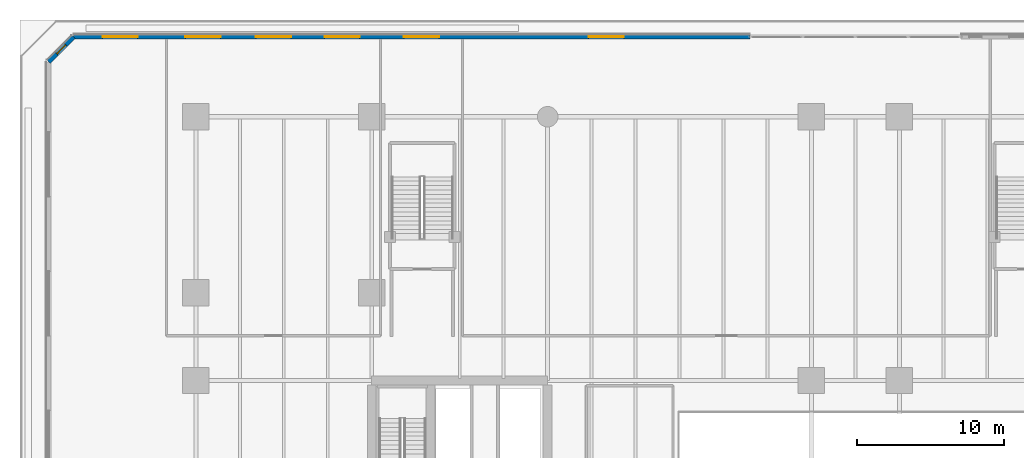
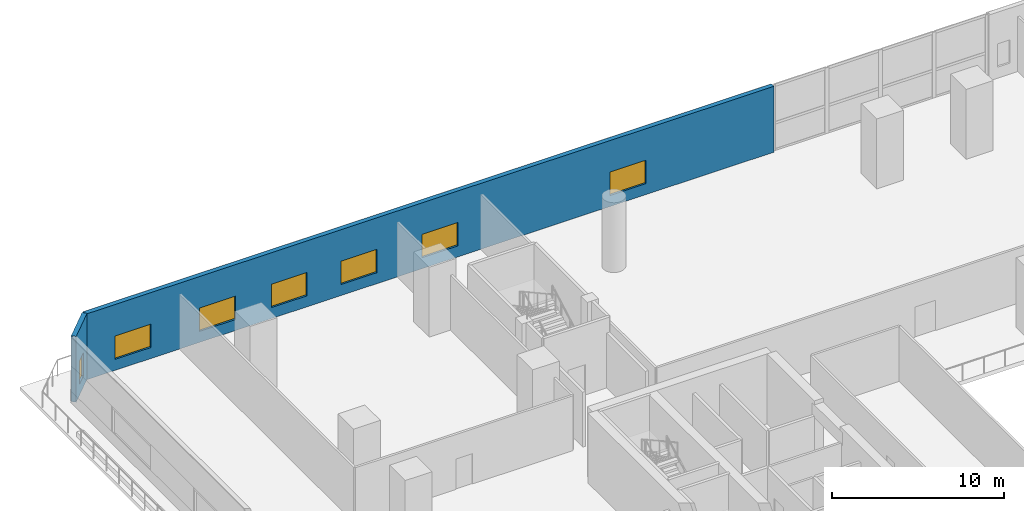
# One storey, part 11 of 24: 7 windows, 2 walls, 7 openings.
"""IFC4 building model written with IfcOpenShell, lengths in metres."""

from ifc_helpers import new_model, si_unit, direction, frame, frame_2d, origin, place, context, subcontext, project, spatial, rectangle, extrude, material, layer, layer_set, type_object, element, fill, save


model = new_model("IFC4")

# Units and contexts
model_context = context("Model", 3, precision=1e-05, world=origin(), true_north=direction((0.0, 1.0)))
body_context = subcontext(model_context, "Body", "Model", "MODEL_VIEW")
ifc_project = project(units=[si_unit("LENGTHUNIT", "METRE"), si_unit("AREAUNIT", "SQUARE_METRE"), si_unit("VOLUMEUNIT", "CUBIC_METRE"), si_unit("PLANEANGLEUNIT", "RADIAN"), si_unit("MASSUNIT", "GRAM", prefix="KILO")], contexts=[model_context])

# Site, building, storey
site_placement = place(None, origin())
site = spatial("IfcSite", under=ifc_project, at=site_placement, CompositionType="ELEMENT")
building_placement = place(site_placement, origin())
building = spatial("IfcBuilding", under=site, at=building_placement, Name="Tanjung Sevakor Pilgrim Tower", CompositionType="ELEMENT")
storey_placement = place(building_placement, frame((0.0, 0.0, 4.949951171875)))
storey = spatial("IfcBuildingStorey", under=building, at=storey_placement, Name="L02", CompositionType="ELEMENT", Elevation=4.949951171875)

# Wall, openings, windows
ifc_material_1 = material(Name="Precast concrete C45/55", Category="concrete")
ifc_layer = layer(ifc_material_1, 0.300048828125)
ifc_layer_set = layer_set([ifc_layer], Name="WT-EW-STN1")
wall_type = type_object("IfcWallType", Name="WT-EW-STN1", PredefinedType="SOLIDWALL", material=ifc_layer_set)
wall_1_placement = place(storey_placement, frame((49.800048828125, 66.050048828125, 0.0), z_axis=(0.0, 0.0, 1.0), x_axis=(-1.0, 0.0, 0.0)))
wall_1 = element("IfcWall", 1, at=wall_1_placement, inside=storey, type_object=wall_type, Name="L02 Cascading Podium Limestone Wall N2", PredefinedType="SOLIDWALL", context=body_context, shape_type="SweptSolid", body=[
    extrude(rectangle(XDim=46.137939453125, YDim=0.300048828125, at=frame_2d((23.06884765625, 0.0))), origin(), (0.0, 0.0, 1.0), 4.669921875),
])
opening_1_placement = place(wall_1_placement, frame((8.60009765625, 0.0, 0.780029296875)))
opening_1 = element("IfcOpeningElement", 2, at=opening_1_placement, cuts=wall_1, Name="Opening WN-P1-1660", PredefinedType="OPENING", context=body_context, shape_type="SweptSolid", body=[
    extrude(rectangle(XDim=2.39990234375, YDim=1.659912109375, at=frame_2d((1.199951171875, 0.830078125))), frame((0.0, 0.159912109375, 0.0), z_axis=(0.0, -1.0, 0.0), x_axis=(1.0, 0.0, 0.0)), (0.0, 0.0, 1.0), 0.320068359375),
])
opening_2_placement = place(wall_1_placement, frame((31.300048828125, 0.0, 0.780029296875)))
opening_2 = element("IfcOpeningElement", 3, at=opening_2_placement, cuts=wall_1, Name="Opening WN-P1-1660", PredefinedType="OPENING", context=body_context, shape_type="SweptSolid", body=[
    extrude(rectangle(XDim=2.39990234375, YDim=1.659912109375, at=frame_2d((1.199951171875, 0.830078125))), frame((0.0, 0.159912109375, 0.0), z_axis=(0.0, -1.0, 0.0), x_axis=(1.0, 0.0, 0.0)), (0.0, 0.0, 1.0), 0.320068359375),
])
opening_3_placement = place(wall_1_placement, frame((21.199951171875, 0.0, 0.780029296875)))
opening_3 = element("IfcOpeningElement", 4, at=opening_3_placement, cuts=wall_1, Name="Opening WN-P1-1660", PredefinedType="OPENING", context=body_context, shape_type="SweptSolid", body=[
    extrude(rectangle(XDim=2.39990234375, YDim=1.659912109375, at=frame_2d((1.199951171875, 0.830078125))), frame((0.0, 0.159912109375, 0.0), z_axis=(0.0, -1.0, 0.0), x_axis=(1.0, 0.0, 0.0)), (0.0, 0.0, 1.0), 0.320068359375),
])
opening_4_placement = place(wall_1_placement, frame((41.768798828125, 0.0, 0.780029296875)))
opening_4 = element("IfcOpeningElement", 5, at=opening_4_placement, cuts=wall_1, Name="Opening WN-P1-1660", PredefinedType="OPENING", context=body_context, shape_type="SweptSolid", body=[
    extrude(rectangle(XDim=2.39990234375, YDim=1.659912109375, at=frame_2d((1.199951171875, 0.830078125))), frame((0.0, 0.159912109375, 0.0), z_axis=(0.0, -1.0, 0.0), x_axis=(1.0, 0.0, 0.0)), (0.0, 0.0, 1.0), 0.320068359375),
])
opening_5_placement = place(wall_1_placement, frame((26.618896484375, 0.0, 0.780029296875)))
opening_5 = element("IfcOpeningElement", 6, at=opening_5_placement, cuts=wall_1, Name="Opening WN-P1-1660", PredefinedType="OPENING", context=body_context, shape_type="SweptSolid", body=[
    extrude(rectangle(XDim=2.39990234375, YDim=1.659912109375, at=frame_2d((1.199951171875, 0.830078125))), frame((0.0, 0.159912109375, 0.0), z_axis=(0.0, -1.0, 0.0), x_axis=(1.0, 0.0, 0.0)), (0.0, 0.0, 1.0), 0.320068359375),
])
opening_6_placement = place(wall_1_placement, frame((36.118896484375, 0.0, 0.780029296875)))
opening_6 = element("IfcOpeningElement", 7, at=opening_6_placement, cuts=wall_1, Name="Opening WN-P1-1660", PredefinedType="OPENING", context=body_context, shape_type="SweptSolid", body=[
    extrude(rectangle(XDim=2.39990234375, YDim=1.659912109375, at=frame_2d((1.199951171875, 0.830078125))), frame((0.0, 0.159912109375, 0.0), z_axis=(0.0, -1.0, 0.0), x_axis=(1.0, 0.0, 0.0)), (0.0, 0.0, 1.0), 0.320068359375),
])
ifc_material_2 = material(Name="Thermally Broken Aluminium and Low-E Glass", Category="aluminium")
window_type_1 = type_object("IfcWindowType", Name="WTYP-WN-P1-1660", PartitioningType="DOUBLE_PANEL_VERTICAL", PredefinedType="WINDOW", material=ifc_material_2)
window_1_placement = place(opening_1_placement, origin())
window_1 = element("IfcWindow", 8, at=window_1_placement, inside=storey, type_object=window_type_1, Name="L02 Facade Window 01", OverallHeight=1.659912109375, OverallWidth=2.39990234375, PartitioningType="SINGLE_PANEL", PredefinedType="WINDOW", context=body_context, shape_type="SweptSolid", body=[
    extrude(rectangle(XDim=2.39990234375, YDim=1.659912109375, at=frame_2d((1.199951171875, 0.830078125))), frame((0.0, 0.030029296875, 0.0), z_axis=(0.0, -1.0, 0.0), x_axis=(1.0, 0.0, 0.0)), (0.0, 0.0, 1.0), 0.06005859375),
])
fill(opening_1, window_1)
window_2_placement = place(opening_2_placement, origin())
window_2 = element("IfcWindow", 9, at=window_2_placement, inside=storey, type_object=window_type_1, Name="L02 Facade Window 02", OverallHeight=1.659912109375, OverallWidth=2.39990234375, PartitioningType="SINGLE_PANEL", PredefinedType="WINDOW", context=body_context, shape_type="SweptSolid", body=[
    extrude(rectangle(XDim=2.39990234375, YDim=1.659912109375, at=frame_2d((1.199951171875, 0.830078125))), frame((0.0, 0.030029296875, 0.0), z_axis=(0.0, -1.0, 0.0), x_axis=(1.0, 0.0, 0.0)), (0.0, 0.0, 1.0), 0.06005859375),
])
fill(opening_2, window_2)
window_3_placement = place(opening_3_placement, origin())
window_3 = element("IfcWindow", 10, at=window_3_placement, inside=storey, type_object=window_type_1, Name="L02 Facade Window 03", OverallHeight=1.659912109375, OverallWidth=2.39990234375, PartitioningType="SINGLE_PANEL", PredefinedType="WINDOW", context=body_context, shape_type="SweptSolid", body=[
    extrude(rectangle(XDim=2.39990234375, YDim=1.659912109375, at=frame_2d((1.199951171875, 0.830078125))), frame((0.0, 0.030029296875, 0.0), z_axis=(0.0, -1.0, 0.0), x_axis=(1.0, 0.0, 0.0)), (0.0, 0.0, 1.0), 0.06005859375),
])
fill(opening_3, window_3)
window_4_placement = place(opening_4_placement, origin())
window_4 = element("IfcWindow", 11, at=window_4_placement, inside=storey, type_object=window_type_1, Name="L02 Facade Window 04", OverallHeight=1.659912109375, OverallWidth=2.39990234375, PartitioningType="SINGLE_PANEL", PredefinedType="WINDOW", context=body_context, shape_type="SweptSolid", body=[
    extrude(rectangle(XDim=2.39990234375, YDim=1.659912109375, at=frame_2d((1.199951171875, 0.830078125))), frame((0.0, 0.030029296875, 0.0), z_axis=(0.0, -1.0, 0.0), x_axis=(1.0, 0.0, 0.0)), (0.0, 0.0, 1.0), 0.06005859375),
])
fill(opening_4, window_4)
window_5_placement = place(opening_5_placement, origin())
window_5 = element("IfcWindow", 12, at=window_5_placement, inside=storey, type_object=window_type_1, Name="L02 Facade Window 05", OverallHeight=1.659912109375, OverallWidth=2.39990234375, PartitioningType="SINGLE_PANEL", PredefinedType="WINDOW", context=body_context, shape_type="SweptSolid", body=[
    extrude(rectangle(XDim=2.39990234375, YDim=1.659912109375, at=frame_2d((1.199951171875, 0.830078125))), frame((0.0, 0.030029296875, 0.0), z_axis=(0.0, -1.0, 0.0), x_axis=(1.0, 0.0, 0.0)), (0.0, 0.0, 1.0), 0.06005859375),
])
fill(opening_5, window_5)
window_6_placement = place(opening_6_placement, origin())
window_6 = element("IfcWindow", 13, at=window_6_placement, inside=storey, type_object=window_type_1, Name="L02 Facade Window 06", OverallHeight=1.659912109375, OverallWidth=2.39990234375, PartitioningType="SINGLE_PANEL", PredefinedType="WINDOW", context=body_context, shape_type="SweptSolid", body=[
    extrude(rectangle(XDim=2.39990234375, YDim=1.659912109375, at=frame_2d((1.199951171875, 0.830078125))), frame((0.0, 0.030029296875, 0.0), z_axis=(0.0, -1.0, 0.0), x_axis=(1.0, 0.0, 0.0)), (0.0, 0.0, 1.0), 0.06005859375),
])
fill(opening_6, window_6)

# Wall, opening, window
wall_2_placement = place(storey_placement, frame((3.662109375, 66.050048828125, 0.0), z_axis=(0.0, 0.0, 1.0), x_axis=(-0.707106781187, -0.707106781187, 0.0)))
wall_2 = element("IfcWall", 14, at=wall_2_placement, inside=storey, type_object=wall_type, Name="L02 MAIN Exterior Wall 6", PredefinedType="SOLIDWALL", context=body_context, shape_type="SweptSolid", body=[
    extrude(rectangle(XDim=2.42138671875, YDim=0.300048828125, at=frame_2d((1.210693359375, 0.0))), origin(), (0.0, 0.0, 1.0), 4.669921875),
])
opening_7_placement = place(wall_2_placement, frame((0.78564453125, 0.0, 0.780029296875)))
opening_7 = element("IfcOpeningElement", 15, at=opening_7_placement, cuts=wall_2, Name="Opening WN-SLM", PredefinedType="OPENING", context=body_context, shape_type="SweptSolid", body=[
    extrude(rectangle(XDim=0.85009765625, YDim=1.64990234375, at=frame_2d((0.425048828125, 0.824951171875))), frame((0.0, 0.159912109375, 0.0), z_axis=(0.0, -1.0, 0.0), x_axis=(1.0, 0.0, 0.0)), (0.0, 0.0, 1.0), 0.320068359375),
])
ifc_material_3 = material(Name="Thermally Broken Aluminium and Low-E Glass", Category="aluminium")
window_type_2 = type_object("IfcWindowType", Name="WTYP-WN-SLM", PartitioningType="SINGLE_PANEL", PredefinedType="WINDOW", material=ifc_material_3)
window_7_placement = place(opening_7_placement, origin())
window_7 = element("IfcWindow", 16, at=window_7_placement, inside=storey, type_object=window_type_2, Name="L02 Facade Window 01", OverallHeight=1.64990234375, OverallWidth=0.85009765625, PartitioningType="SINGLE_PANEL", PredefinedType="WINDOW", context=body_context, shape_type="SweptSolid", body=[
    extrude(rectangle(XDim=0.85009765625, YDim=1.64990234375, at=frame_2d((0.425048828125, 0.824951171875))), frame((0.0, 0.030029296875, 0.0), z_axis=(0.0, -1.0, 0.0), x_axis=(1.0, 0.0, 0.0)), (0.0, 0.0, 1.0), 0.06005859375),
])
fill(opening_7, window_7)

save(model, "model.ifc")
